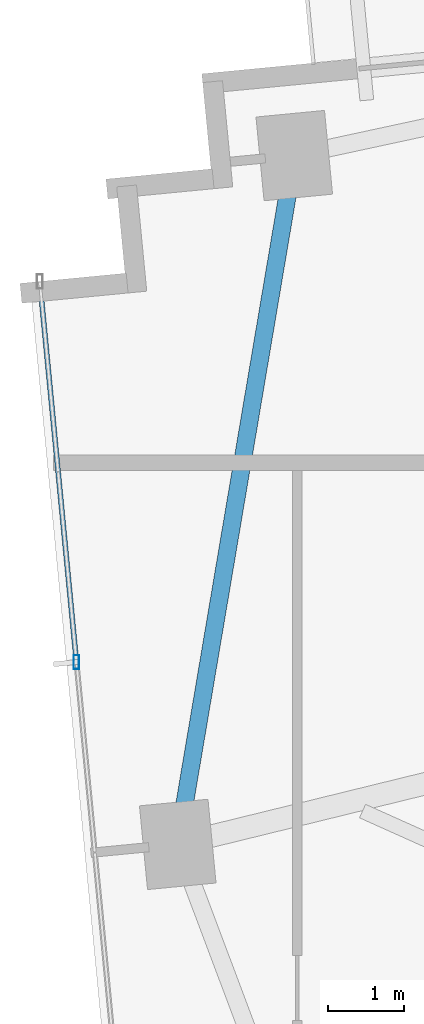
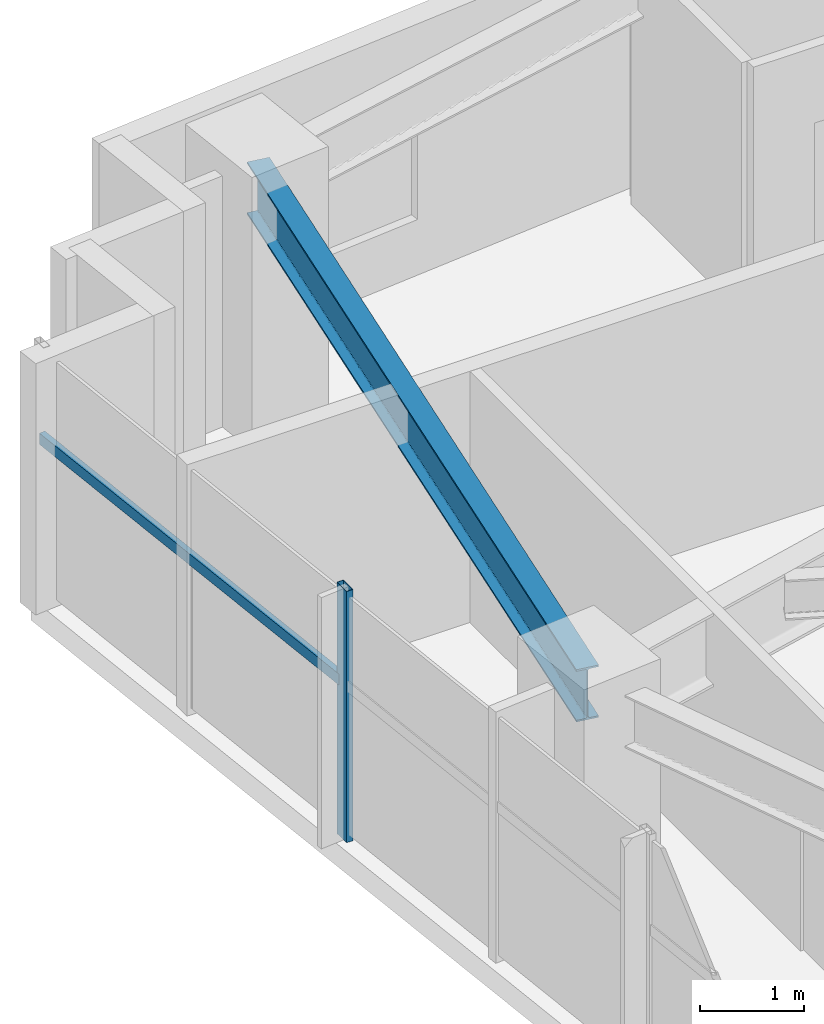
# One storey, part 4 of 27: 2 members, 1 beam, 1 element without a shape of its own.
"""IFC4 building model written with IfcOpenShell, lengths in metres."""

from ifc_helpers import new_model, si_unit, direction, frame, origin, origin_2d, place, context, subcontext, project, spatial, hollow_rectangle, i_section, extrude, source, transform, mapped, material, material_profile, profile_set, type_object, type_shapes, element, aggregate, save


model = new_model("IFC4")

# Units and contexts
model_context = context("Model", 3, precision=1e-05, world=origin(), true_north=direction((0.0, 1.0)))
body_context = subcontext(model_context, "Body", "Model", "MODEL_VIEW")
ifc_project = project(units=[si_unit("LENGTHUNIT", "METRE"), si_unit("AREAUNIT", "SQUARE_METRE"), si_unit("VOLUMEUNIT", "CUBIC_METRE"), si_unit("PLANEANGLEUNIT", "RADIAN"), si_unit("MASSUNIT", "GRAM", prefix="KILO")], contexts=[model_context])

# Site, building, storey
site_placement = place(None, origin())
site = spatial("IfcSite", under=ifc_project, at=site_placement, CompositionType="ELEMENT")
building_placement = place(site_placement, origin())
building = spatial("IfcBuilding", under=site, at=building_placement, Name="Astriad Promenade Condominiums", CompositionType="ELEMENT")
storey_placement = place(building_placement, frame((0.0, 0.0, 109.800048828125)))
storey = spatial("IfcBuildingStorey", under=building, at=storey_placement, Name="L31", CompositionType="ELEMENT", Elevation=109.800048828125)

# Beam
ifc_material_1 = material(Name="Steel ASTM A992 Grade 50", Category="steel")
ifc_material_profile_1 = material_profile(ifc_material_1, i_section(OverallWidth=0.22900390625, OverallDepth=0.612060546875, WebThickness=0.011962890625, FlangeThickness=0.01953125, FilletRadius=0.017822265625, at=origin_2d()), Name="W24X84")
ifc_profile_set_1 = profile_set([ifc_material_profile_1], Name="Steel ASTM A992 Grade 50")
beam_type = type_object("IfcBeamType", Name="STEEL SPANDREL BEAM W24X84", PredefinedType="SPANDREL", material=ifc_profile_set_1)
shared_shape_1 = source(origin(), body_context, "Body", "SweptSolid", [
    extrude(i_section(OverallWidth=0.22900390625, OverallDepth=0.612060546875, WebThickness=0.011962890625, FlangeThickness=0.01953125, FilletRadius=0.017822265625, at=origin_2d()), origin(), (0.0, 0.0, 1.0), 9.055419921875),
])
type_shapes(beam_type, [shared_shape_1])
beam_placement = place(storey_placement, frame((12.2685546875, 22.52880859375, 2.6337890625), z_axis=(-0.166776851291, -0.98599466625, 0.0), x_axis=(0.98599466625, -0.166776851291, 0.0)))
element("IfcBeam", 1, at=beam_placement, inside=storey, type_object=beam_type, Name="Perimeter Spandrel Beam SP-W2-L31", PredefinedType="SPANDREL", context=body_context, shape_type="MappedRepresentation", body=[
    mapped(shared_shape_1, transform((0.0, 0.0, 0.0), scale=1.0)),
])

# Curtain wall, members
ifc_material_2 = material(Name="Anodised aluminium Black Dark Glass Unitised", Category="aluminium")
curtain_wall_type = type_object("IfcCurtainWallType", Name="CW-B2-DARK", PredefinedType="USERDEFINED", material=ifc_material_2)
curtain_wall_placement = place(storey_placement, origin())
curtain_wall = element("IfcCurtainWall", 2, at=curtain_wall_placement, inside=storey, type_object=curtain_wall_type, Name="CW-L31-W", ObjectType="UNITISED_CURTAIN_WALL", PredefinedType="USERDEFINED")
ifc_material_3 = material(Name="Anodised aluminium 6063-T6 Black", Category="aluminium")
ifc_material_profile_2 = material_profile(ifc_material_3, hollow_rectangle(XDim=0.074951171875, YDim=0.18505859375, WallThickness=0.00439453125, at=origin_2d()), Name="ALU-MUL-75X185")
ifc_profile_set_2 = profile_set([ifc_material_profile_2], Name="Anodised aluminium 6063-T6 Black")
member_type_1 = type_object("IfcMemberType", Name="MUL-ALU-MUL-75X185", PredefinedType="MULLION", material=ifc_profile_set_2)
shared_shape_2 = source(origin(), body_context, "Body", "SweptSolid", [
    extrude(hollow_rectangle(XDim=0.074951171875, YDim=0.18505859375, WallThickness=0.00439453125, at=origin_2d()), origin(), (0.0, 0.0, 1.0), 2.93994140625),
])
type_shapes(member_type_1, [shared_shape_2])
member_1_placement = place(storey_placement, frame((9.427001953125, 15.94482421875, 0.0), z_axis=(0.0, 0.0, 1.0), x_axis=(1.0, 0.0, 0.0)))
member_1 = element("IfcMember", 3, at=member_1_placement, type_object=member_type_1, Name="CW-L31-W-MUL-02", PredefinedType="MULLION", context=body_context, shape_type="MappedRepresentation", body=[
    mapped(shared_shape_2, transform((0.0, 0.0, 0.0), scale=1.0)),
])
ifc_material_profile_3 = material_profile(ifc_material_3, hollow_rectangle(XDim=0.06494140625, YDim=0.1298828125, WallThickness=0.00390625, at=origin_2d()), Name="ALU-TRN-65X130")
ifc_profile_set_3 = profile_set([ifc_material_profile_3], Name="Anodised aluminium 6063-T6 Black")
member_type_2 = type_object("IfcMemberType", Name="TRN-ALU-TRN-65X130", PredefinedType="USERDEFINED", material=ifc_profile_set_3)
shared_shape_3 = source(origin(), body_context, "Body", "SweptSolid", [
    extrude(hollow_rectangle(XDim=0.06494140625, YDim=0.1298828125, WallThickness=0.00390625, at=origin_2d()), origin(), (0.0, 0.0, 1.0), 5.0),
])
type_shapes(member_type_2, [shared_shape_3])
member_2_placement = place(storey_placement, frame((9.427001953125, 15.94482421875, 1.82275390625), z_axis=(-0.095848242264, 0.995395958629, 0.0), x_axis=(-0.995395958629, -0.095848242264, 0.0)))
member_2 = element("IfcMember", 4, at=member_2_placement, type_object=member_type_2, Name="CW-L31-W-TRN-02-0", ObjectType="TRANSOM", PredefinedType="USERDEFINED", context=body_context, shape_type="MappedRepresentation", body=[
    mapped(shared_shape_3, transform((0.0, 0.0, 0.0), scale=1.0)),
])
aggregate(curtain_wall, [member_1, member_2])

save(model, "model.ifc")
